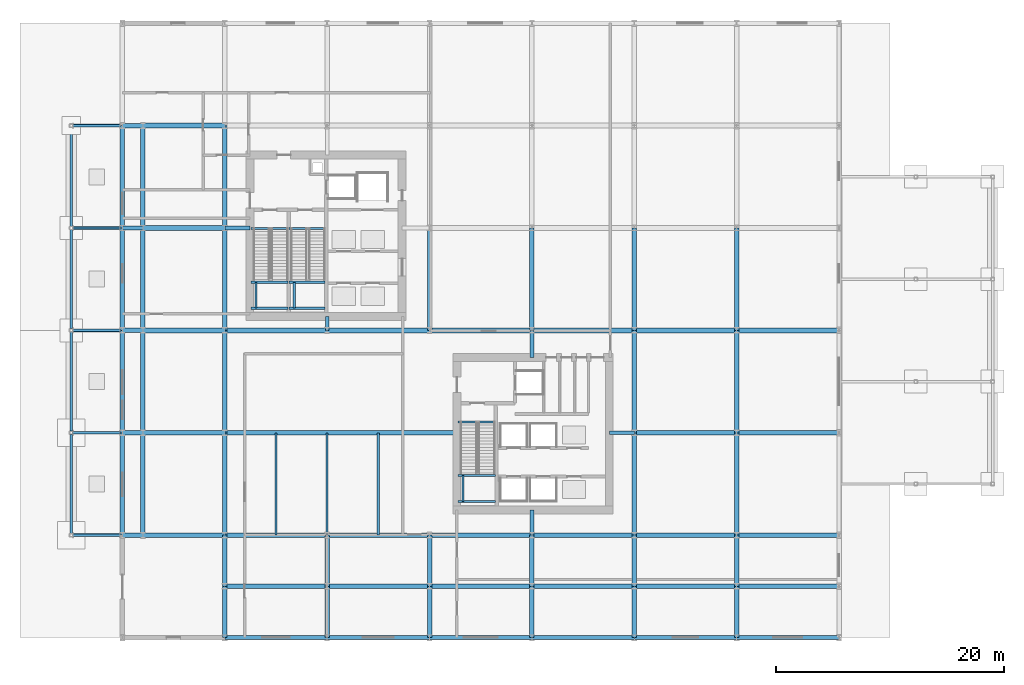
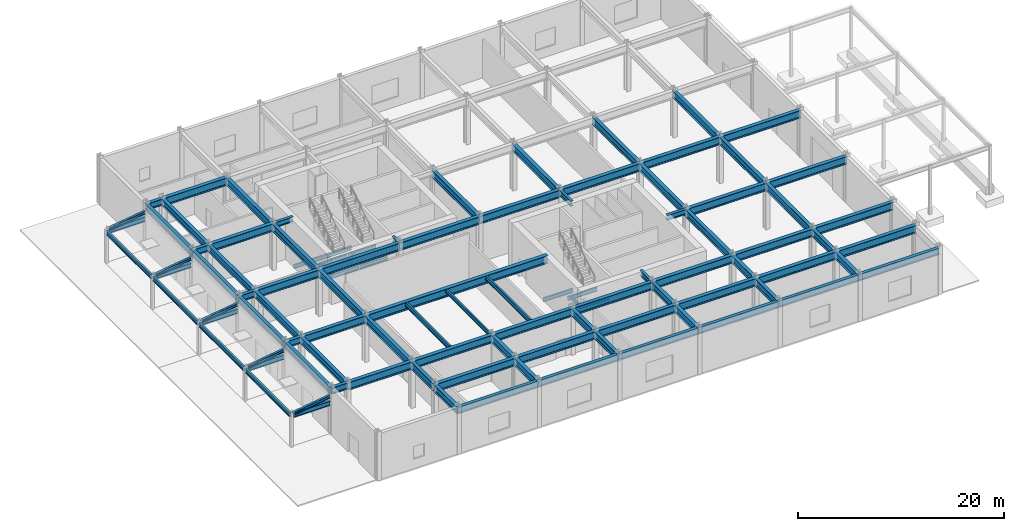
# One storey, part 7 of 19: 98 beams, 5 members.
"""IFC4 building model written with IfcOpenShell, lengths in metres."""

from ifc_helpers import new_model, si_unit, direction, frame, origin, origin_2d, place, context, subcontext, project, spatial, i_section, extrude, material, material_profile, profile_set, type_object, element, save


model = new_model("IFC4")

# Units and contexts
model_context = context("Model", 3, precision=1e-05, world=origin(), true_north=direction((0.0, 1.0)))
body_context = subcontext(model_context, "Body", "Model", "MODEL_VIEW")
ifc_project = project(units=[si_unit("LENGTHUNIT", "METRE"), si_unit("AREAUNIT", "SQUARE_METRE"), si_unit("VOLUMEUNIT", "CUBIC_METRE"), si_unit("PLANEANGLEUNIT", "RADIAN"), si_unit("MASSUNIT", "GRAM", prefix="KILO")], contexts=[model_context])

# Site, building, storey
site_placement = place(None, origin())
site = spatial("IfcSite", under=ifc_project, at=site_placement, CompositionType="ELEMENT")
building_placement = place(site_placement, origin())
building = spatial("IfcBuilding", under=site, at=building_placement, Name="Solvaryn Broadcast Tower", CompositionType="ELEMENT")
storey_placement = place(building_placement, origin())
storey = spatial("IfcBuildingStorey", under=building, at=storey_placement, Name="L00", CompositionType="ELEMENT", Elevation=0.0)

# Beams
ifc_material_1 = material(Name="Steel ASTM A992 Grade 50", Category="steel")
ifc_material_profile_1 = material_profile(ifc_material_1, i_section(OverallWidth=0.323974609375, OverallDepth=0.611083984375, WebThickness=0.0126953125, FlangeThickness=0.01904296875, FilletRadius=0.014892578125, at=origin_2d()))
ifc_profile_set_1 = profile_set([ifc_material_profile_1], Name="Steel ASTM A992 Grade 50")
beam_type_1 = type_object("IfcBeamType", Name="BM-B1-W24X104", PredefinedType="BEAM", material=ifc_profile_set_1)
for number, where, z_axis, x_axis, name in (
    (1, (9.0, 36.0, 5.174560546875), (1.0, 0.0, 0.0), (0.0, 1.0, 0.0), "L00 Core Tie Beam CTW1"),
    (2, (36.0, 9.0, 5.174560546875), (0.0, 1.0, 0.0), (-1.0, 0.0, 0.0), "L00 Core Tie Beam CTE1"),
):
    element("IfcBeam", number, at=place(storey_placement, frame(where, z_axis=z_axis, x_axis=x_axis)), inside=storey, type_object=beam_type_1, Name=name, PredefinedType="BEAM", context=body_context, shape_type="SweptSolid", body=[
        extrude(i_section(OverallWidth=0.323974609375, OverallDepth=0.611083984375, WebThickness=0.0126953125, FlangeThickness=0.01904296875, FilletRadius=0.014892578125, at=origin_2d()), origin(), (0.0, 0.0, 1.0), 2.199951171875),
    ])
beam_1_placement = place(storey_placement, frame((36.0, 24.60009765625, 5.174560546875), z_axis=(0.0, 1.0, 0.0), x_axis=(-1.0, 0.0, 0.0)))
element("IfcBeam", 3, at=beam_1_placement, inside=storey, type_object=beam_type_1, Name="L00 Core Tie Beam CTE2", PredefinedType="BEAM", context=body_context, shape_type="SweptSolid", body=[
    extrude(i_section(OverallWidth=0.323974609375, OverallDepth=0.611083984375, WebThickness=0.0126953125, FlangeThickness=0.01904296875, FilletRadius=0.014892578125, at=origin_2d()), origin(), (0.0, 0.0, 1.0), 2.39990234375),
])
beam_2_placement = place(storey_placement, frame((42.800048828125, 18.0, 5.174560546875), z_axis=(1.0, 0.0, 0.0), x_axis=(0.0, 1.0, 0.0)))
element("IfcBeam", 4, at=beam_2_placement, inside=storey, type_object=beam_type_1, Name="L00 Core Tie Beam CTE3", PredefinedType="BEAM", context=body_context, shape_type="SweptSolid", body=[
    extrude(i_section(OverallWidth=0.323974609375, OverallDepth=0.611083984375, WebThickness=0.0126953125, FlangeThickness=0.01904296875, FilletRadius=0.014892578125, at=origin_2d()), origin(), (0.0, 0.0, 1.0), 2.199951171875),
])
beam_3_placement = place(storey_placement, frame((18.0, 27.0, 5.174560546875), z_axis=(0.0, 1.0, 0.0), x_axis=(-1.0, 0.0, 0.0)))
element("IfcBeam", 5, at=beam_3_placement, inside=storey, type_object=beam_type_1, Name="L00 Core Tie Beam CTW4", PredefinedType="BEAM", context=body_context, shape_type="SweptSolid", body=[
    extrude(i_section(OverallWidth=0.323974609375, OverallDepth=0.611083984375, WebThickness=0.0126953125, FlangeThickness=0.01904296875, FilletRadius=0.014892578125, at=origin_2d()), origin(), (0.0, 0.0, 1.0), 1.199951171875),
])
ifc_material_2 = material(Name="Steel ASTM A992 Grade 50", Category="steel")
ifc_material_profile_2 = material_profile(ifc_material_2, i_section(OverallWidth=0.208984375, OverallDepth=0.532958984375, WebThickness=0.01025390625, FlangeThickness=0.015625, FilletRadius=0.013916015625, at=origin_2d()))
ifc_profile_set_2 = profile_set([ifc_material_profile_2], Name="Steel ASTM A992 Grade 50")
beam_type_2 = type_object("IfcBeamType", Name="BM-B3-W21X62", PredefinedType="BEAM", material=ifc_profile_set_2)
for number, where, z_axis, x_axis, name in (
    (6, (-4.35009765625, 9.0, 3.66357421875), (1.0, 0.0, 0.0), (0.0, 1.0, 0.0), "L00 Canopy Cross Beam 1"),
    (7, (-4.35009765625, 18.0, 3.66357421875), (1.0, 0.0, 0.0), (0.0, 1.0, 0.0), "L00 Canopy Cross Beam 2"),
    (8, (-4.35009765625, 27.0, 3.66357421875), (1.0, 0.0, 0.0), (0.0, 1.0, 0.0), "L00 Canopy Cross Beam 3"),
    (9, (-4.35009765625, 36.0, 3.66357421875), (1.0, 0.0, 0.0), (0.0, 1.0, 0.0), "L00 Canopy Cross Beam 4"),
    (10, (-4.35009765625, 45.0, 3.66357421875), (1.0, 0.0, 0.0), (0.0, 1.0, 0.0), "L00 Canopy Cross Beam 5"),
):
    element("IfcBeam", number, at=place(storey_placement, frame(where, z_axis=z_axis, x_axis=x_axis)), inside=storey, type_object=beam_type_2, Name=name, PredefinedType="BEAM", context=body_context, shape_type="SweptSolid", body=[
        extrude(i_section(OverallWidth=0.208984375, OverallDepth=0.532958984375, WebThickness=0.01025390625, FlangeThickness=0.015625, FilletRadius=0.013916015625, at=origin_2d()), origin(), (0.0, 0.0, 1.0), 4.150146484375),
    ])
for number, where, z_axis, x_axis, name in (
    (11, (-4.5, 9.14990234375, 3.66357421875), (0.0, 1.0, 0.0), (-1.0, 0.0, 0.0), "L00 Canopy Edge Beam 1"),
    (12, (-4.5, 18.14990234375, 3.66357421875), (0.0, 1.0, 0.0), (-1.0, 0.0, 0.0), "L00 Canopy Edge Beam 2"),
    (13, (-4.5, 27.14990234375, 3.66357421875), (0.0, 1.0, 0.0), (-1.0, 0.0, 0.0), "L00 Canopy Edge Beam 3"),
    (14, (-4.5, 36.14990234375, 3.66357421875), (0.0, 1.0, 0.0), (-1.0, 0.0, 0.0), "L00 Canopy Edge Beam 4"),
):
    element("IfcBeam", number, at=place(storey_placement, frame(where, z_axis=z_axis, x_axis=x_axis)), inside=storey, type_object=beam_type_2, Name=name, PredefinedType="BEAM", context=body_context, shape_type="SweptSolid", body=[
        extrude(i_section(OverallWidth=0.208984375, OverallDepth=0.532958984375, WebThickness=0.01025390625, FlangeThickness=0.015625, FilletRadius=0.013916015625, at=origin_2d()), origin(), (0.0, 0.0, 1.0), 8.7001953125),
    ])
for number, where, z_axis, x_axis, name in (
    (15, (13.5, 9.0, 5.21337890625), (0.0, 1.0, 0.0), (-1.0, 0.0, 0.0), "L00 Studio Rigging Beam 1"),
    (16, (22.5, 9.0, 5.21337890625), (0.0, 1.0, 0.0), (-1.0, 0.0, 0.0), "L00 Studio Rigging Beam 3"),
):
    element("IfcBeam", number, at=place(storey_placement, frame(where, z_axis=z_axis, x_axis=x_axis)), inside=storey, type_object=beam_type_2, Name=name, PredefinedType="BEAM", context=body_context, shape_type="SweptSolid", body=[
        extrude(i_section(OverallWidth=0.208984375, OverallDepth=0.532958984375, WebThickness=0.01025390625, FlangeThickness=0.015625, FilletRadius=0.013916015625, at=origin_2d()), origin(), (0.0, 0.0, 1.0), 9.0),
    ])
ifc_material_3 = material(Name="Steel ASTM A992 Grade 50", Category="steel")
ifc_material_profile_3 = material_profile(ifc_material_3, i_section(OverallWidth=0.18994140625, OverallDepth=0.45703125, WebThickness=0.009033203125, FlangeThickness=0.014404296875, FilletRadius=0.011962890625, at=origin_2d()))
ifc_profile_set_3 = profile_set([ifc_material_profile_3], Name="Steel ASTM A992 Grade 50")
beam_type_3 = type_object("IfcBeamType", Name="BM-B4-W18X50", PredefinedType="BEAM", material=ifc_profile_set_3)
beam_4_placement = place(storey_placement, frame((18.0, 9.0, 5.21337890625), z_axis=(0.0, 1.0, 0.0), x_axis=(-1.0, 0.0, 0.0)))
element("IfcBeam", 17, at=beam_4_placement, inside=storey, type_object=beam_type_3, Name="L00 Studio Rigging Beam 2", PredefinedType="BEAM", context=body_context, shape_type="SweptSolid", body=[
    extrude(i_section(OverallWidth=0.18994140625, OverallDepth=0.45703125, WebThickness=0.009033203125, FlangeThickness=0.014404296875, FilletRadius=0.011962890625, at=origin_2d()), origin(), (0.0, 0.0, 1.0), 9.0),
])
for number, where, z_axis, x_axis, name in (
    (18, (11.300048828125, 35.9599609375, -0.548583984375), (1.0, 0.0, 0.0), (0.0, 1.0, 0.0), "L00 ST1 Stair Well Trimmer Beam"),
    (19, (11.300048828125, 28.949951171875, 2.471435546875), (1.0, 0.0, 0.0), (0.0, 1.0, 0.0), "L00 ST1 Landing Support Beam 1A"),
    (20, (11.300048828125, 31.22998046875, 2.471435546875), (1.0, 0.0, 0.0), (0.0, 1.0, 0.0), "L00 ST1 Landing Support Beam 1B"),
):
    element("IfcBeam", number, at=place(storey_placement, frame(where, z_axis=z_axis, x_axis=x_axis)), inside=storey, type_object=beam_type_3, Name=name, PredefinedType="BEAM", context=body_context, shape_type="SweptSolid", body=[
        extrude(i_section(OverallWidth=0.18994140625, OverallDepth=0.45703125, WebThickness=0.009033203125, FlangeThickness=0.014404296875, FilletRadius=0.011962890625, at=origin_2d()), origin(), (0.0, 0.0, 1.0), 3.280029296875),
    ])
beam_5_placement = place(storey_placement, frame((11.75, 28.949951171875, 2.471435546875), z_axis=(0.0, 1.0, 0.0), x_axis=(-1.0, 0.0, 0.0)))
element("IfcBeam", 21, at=beam_5_placement, inside=storey, type_object=beam_type_3, Name="L00 ST1 Landing Cross Stringer 1C", PredefinedType="BEAM", context=body_context, shape_type="SweptSolid", body=[
    extrude(i_section(OverallWidth=0.18994140625, OverallDepth=0.45703125, WebThickness=0.009033203125, FlangeThickness=0.014404296875, FilletRadius=0.011962890625, at=origin_2d()), origin(), (0.0, 0.0, 1.0), 2.280029296875),
])
for number, where, z_axis, x_axis, name in (
    (22, (14.659912109375, 35.9599609375, -0.548583984375), (1.0, 0.0, 0.0), (0.0, 1.0, 0.0), "L00 ST2 Stair Well Trimmer Beam"),
    (23, (14.659912109375, 28.949951171875, 2.471435546875), (1.0, 0.0, 0.0), (0.0, 1.0, 0.0), "L00 ST2 Landing Support Beam 1A"),
    (24, (14.659912109375, 31.22998046875, 2.471435546875), (1.0, 0.0, 0.0), (0.0, 1.0, 0.0), "L00 ST2 Landing Support Beam 1B"),
):
    element("IfcBeam", number, at=place(storey_placement, frame(where, z_axis=z_axis, x_axis=x_axis)), inside=storey, type_object=beam_type_3, Name=name, PredefinedType="BEAM", context=body_context, shape_type="SweptSolid", body=[
        extrude(i_section(OverallWidth=0.18994140625, OverallDepth=0.45703125, WebThickness=0.009033203125, FlangeThickness=0.014404296875, FilletRadius=0.011962890625, at=origin_2d()), origin(), (0.0, 0.0, 1.0), 3.14013671875),
    ])
beam_6_placement = place(storey_placement, frame((15.110107421875, 28.949951171875, 2.471435546875), z_axis=(0.0, 1.0, 0.0), x_axis=(-1.0, 0.0, 0.0)))
element("IfcBeam", 25, at=beam_6_placement, inside=storey, type_object=beam_type_3, Name="L00 ST2 Landing Cross Stringer 1C", PredefinedType="BEAM", context=body_context, shape_type="SweptSolid", body=[
    extrude(i_section(OverallWidth=0.18994140625, OverallDepth=0.45703125, WebThickness=0.009033203125, FlangeThickness=0.014404296875, FilletRadius=0.011962890625, at=origin_2d()), origin(), (0.0, 0.0, 1.0), 2.280029296875),
])
for number, where, z_axis, x_axis, name in (
    (26, (29.5, 18.9599609375, -0.548583984375), (1.0, 0.0, 0.0), (0.0, 1.0, 0.0), "L00 ST3 Stair Well Trimmer Beam"),
    (27, (29.5, 11.949951171875, 2.471435546875), (1.0, 0.0, 0.0), (0.0, 1.0, 0.0), "L00 ST3 Landing Support Beam 1A"),
    (28, (29.5, 14.22998046875, 2.471435546875), (1.0, 0.0, 0.0), (0.0, 1.0, 0.0), "L00 ST3 Landing Support Beam 1B"),
):
    element("IfcBeam", number, at=place(storey_placement, frame(where, z_axis=z_axis, x_axis=x_axis)), inside=storey, type_object=beam_type_3, Name=name, PredefinedType="BEAM", context=body_context, shape_type="SweptSolid", body=[
        extrude(i_section(OverallWidth=0.18994140625, OverallDepth=0.45703125, WebThickness=0.009033203125, FlangeThickness=0.014404296875, FilletRadius=0.011962890625, at=origin_2d()), origin(), (0.0, 0.0, 1.0), 3.320068359375),
    ])
beam_7_placement = place(storey_placement, frame((29.949951171875, 11.949951171875, 2.471435546875), z_axis=(0.0, 1.0, 0.0), x_axis=(-1.0, 0.0, 0.0)))
element("IfcBeam", 29, at=beam_7_placement, inside=storey, type_object=beam_type_3, Name="L00 ST3 Landing Cross Stringer 1C", PredefinedType="BEAM", context=body_context, shape_type="SweptSolid", body=[
    extrude(i_section(OverallWidth=0.18994140625, OverallDepth=0.45703125, WebThickness=0.009033203125, FlangeThickness=0.014404296875, FilletRadius=0.011962890625, at=origin_2d()), origin(), (0.0, 0.0, 1.0), 2.280029296875),
])
ifc_material_4 = material(Name="Steel ASTM A992 Grade 50", Category="steel")
ifc_material_profile_4 = material_profile(ifc_material_4, i_section(OverallWidth=0.423095703125, OverallDepth=0.947998046875, WebThickness=0.02392578125, FlangeThickness=0.042724609375, FilletRadius=0.02392578125, at=origin_2d()))
ifc_profile_set_4 = profile_set([ifc_material_profile_4], Name="Steel ASTM A992 Grade 50")
beam_type_4 = type_object("IfcBeamType", Name="BM-G1-W36X302", PredefinedType="BEAM", material=ifc_profile_set_4)
beam_8_placement = place(storey_placement, frame((9.0, 18.0, 5.006103515625), z_axis=(1.0, 0.0, 0.0), x_axis=(0.0, 1.0, 0.0)))
element("IfcBeam", 30, at=beam_8_placement, inside=storey, type_object=beam_type_4, Name="L00 Broadcast Studio Clear-Span Girder", PredefinedType="BEAM", context=body_context, shape_type="SweptSolid", body=[
    extrude(i_section(OverallWidth=0.423095703125, OverallDepth=0.947998046875, WebThickness=0.02392578125, FlangeThickness=0.042724609375, FilletRadius=0.02392578125, at=origin_2d()), origin(), (0.0, 0.0, 1.0), 20.39990234375),
])
ifc_material_5 = material(Name="Steel ASTM A992 Grade 50", Category="steel")
ifc_material_profile_5 = material_profile(ifc_material_5, i_section(OverallWidth=0.41796875, OverallDepth=0.927001953125, WebThickness=0.019287109375, FlangeThickness=0.031982421875, FilletRadius=0.02392578125, at=origin_2d()))
ifc_profile_set_5 = profile_set([ifc_material_profile_5], Name="Steel ASTM A992 Grade 50")
beam_type_5 = type_object("IfcBeamType", Name="BM-G2-W36X231", PredefinedType="BEAM", material=ifc_profile_set_5)
for number, where, z_axis, x_axis, name in (
    (31, (9.0, 4.5, 5.0166015625), (1.0, 0.0, 0.0), (0.0, 1.0, 0.0), "L00 Primary Beam X (9-18 @ Y=4)"),
    (32, (18.0, 4.5, 5.0166015625), (1.0, 0.0, 0.0), (0.0, 1.0, 0.0), "L00 Primary Beam X (18-27 @ Y=4)"),
    (33, (27.0, 4.5, 5.0166015625), (1.0, 0.0, 0.0), (0.0, 1.0, 0.0), "L00 Primary Beam X (27-36 @ Y=4)"),
    (34, (36.0, 4.5, 5.0166015625), (1.0, 0.0, 0.0), (0.0, 1.0, 0.0), "L00 Primary Beam X (36-45 @ Y=4)"),
    (35, (45.0, 4.5, 5.0166015625), (1.0, 0.0, 0.0), (0.0, 1.0, 0.0), "L00 Primary Beam X (45-54 @ Y=4)"),
    (36, (54.0, 4.5, 5.0166015625), (1.0, 0.0, 0.0), (0.0, 1.0, 0.0), "L00 Primary Beam X (54-63 @ Y=4)"),
):
    element("IfcBeam", number, at=place(storey_placement, frame(where, z_axis=z_axis, x_axis=x_axis)), inside=storey, type_object=beam_type_5, Name=name, PredefinedType="BEAM", context=body_context, shape_type="SweptSolid", body=[
        extrude(i_section(OverallWidth=0.41796875, OverallDepth=0.927001953125, WebThickness=0.019287109375, FlangeThickness=0.031982421875, FilletRadius=0.02392578125, at=origin_2d()), origin(), (0.0, 0.0, 1.0), 9.0),
    ])
beam_9_placement = place(storey_placement, frame((1.800048828125, 9.0, 5.0166015625), z_axis=(1.0, 0.0, 0.0), x_axis=(0.0, 1.0, 0.0)))
element("IfcBeam", 37, at=beam_9_placement, inside=storey, type_object=beam_type_5, Name="L00 Primary Beam X (2-9 @ Y=9)", PredefinedType="BEAM", context=body_context, shape_type="SweptSolid", body=[
    extrude(i_section(OverallWidth=0.41796875, OverallDepth=0.927001953125, WebThickness=0.019287109375, FlangeThickness=0.031982421875, FilletRadius=0.02392578125, at=origin_2d()), origin(), (0.0, 0.0, 1.0), 7.199951171875),
])
for number, where, z_axis, x_axis, name in (
    (38, (9.0, 9.0, 5.0166015625), (1.0, 0.0, 0.0), (0.0, 1.0, 0.0), "L00 Primary Beam X (9-18 @ Y=9)"),
    (39, (18.0, 9.0, 5.0166015625), (1.0, 0.0, 0.0), (0.0, 1.0, 0.0), "L00 Primary Beam X (18-27 @ Y=9)"),
    (40, (27.0, 9.0, 5.0166015625), (1.0, 0.0, 0.0), (0.0, 1.0, 0.0), "L00 Primary Beam X (27-36 @ Y=9)"),
    (41, (36.0, 9.0, 5.0166015625), (1.0, 0.0, 0.0), (0.0, 1.0, 0.0), "L00 Primary Beam X (36-45 @ Y=9)"),
    (42, (45.0, 9.0, 5.0166015625), (1.0, 0.0, 0.0), (0.0, 1.0, 0.0), "L00 Primary Beam X (45-54 @ Y=9)"),
    (43, (54.0, 9.0, 5.0166015625), (1.0, 0.0, 0.0), (0.0, 1.0, 0.0), "L00 Primary Beam X (54-63 @ Y=9)"),
):
    element("IfcBeam", number, at=place(storey_placement, frame(where, z_axis=z_axis, x_axis=x_axis)), inside=storey, type_object=beam_type_5, Name=name, PredefinedType="BEAM", context=body_context, shape_type="SweptSolid", body=[
        extrude(i_section(OverallWidth=0.41796875, OverallDepth=0.927001953125, WebThickness=0.019287109375, FlangeThickness=0.031982421875, FilletRadius=0.02392578125, at=origin_2d()), origin(), (0.0, 0.0, 1.0), 9.0),
    ])
beam_10_placement = place(storey_placement, frame((1.800048828125, 18.0, 5.0166015625), z_axis=(1.0, 0.0, 0.0), x_axis=(0.0, 1.0, 0.0)))
element("IfcBeam", 44, at=beam_10_placement, inside=storey, type_object=beam_type_5, Name="L00 Primary Beam X (2-9 @ Y=18)", PredefinedType="BEAM", context=body_context, shape_type="SweptSolid", body=[
    extrude(i_section(OverallWidth=0.41796875, OverallDepth=0.927001953125, WebThickness=0.019287109375, FlangeThickness=0.031982421875, FilletRadius=0.02392578125, at=origin_2d()), origin(), (0.0, 0.0, 1.0), 7.199951171875),
])
for number, where, z_axis, x_axis, name in (
    (45, (45.0, 18.0, 5.0166015625), (1.0, 0.0, 0.0), (0.0, 1.0, 0.0), "L00 Primary Beam X (45-54 @ Y=18)"),
    (46, (54.0, 18.0, 5.0166015625), (1.0, 0.0, 0.0), (0.0, 1.0, 0.0), "L00 Primary Beam X (54-63 @ Y=18)"),
):
    element("IfcBeam", number, at=place(storey_placement, frame(where, z_axis=z_axis, x_axis=x_axis)), inside=storey, type_object=beam_type_5, Name=name, PredefinedType="BEAM", context=body_context, shape_type="SweptSolid", body=[
        extrude(i_section(OverallWidth=0.41796875, OverallDepth=0.927001953125, WebThickness=0.019287109375, FlangeThickness=0.031982421875, FilletRadius=0.02392578125, at=origin_2d()), origin(), (0.0, 0.0, 1.0), 9.0),
    ])
beam_11_placement = place(storey_placement, frame((1.800048828125, 27.0, 5.0166015625), z_axis=(1.0, 0.0, 0.0), x_axis=(0.0, 1.0, 0.0)))
element("IfcBeam", 47, at=beam_11_placement, inside=storey, type_object=beam_type_5, Name="L00 Primary Beam X (2-9 @ Y=27)", PredefinedType="BEAM", context=body_context, shape_type="SweptSolid", body=[
    extrude(i_section(OverallWidth=0.41796875, OverallDepth=0.927001953125, WebThickness=0.019287109375, FlangeThickness=0.031982421875, FilletRadius=0.02392578125, at=origin_2d()), origin(), (0.0, 0.0, 1.0), 7.199951171875),
])
for number, where, z_axis, x_axis, name in (
    (48, (9.0, 27.0, 5.0166015625), (1.0, 0.0, 0.0), (0.0, 1.0, 0.0), "L00 Primary Beam X (9-18 @ Y=27)"),
    (49, (18.0, 27.0, 5.0166015625), (1.0, 0.0, 0.0), (0.0, 1.0, 0.0), "L00 Primary Beam X (18-27 @ Y=27)"),
    (50, (27.0, 27.0, 5.0166015625), (1.0, 0.0, 0.0), (0.0, 1.0, 0.0), "L00 Primary Beam X (27-36 @ Y=27)"),
    (51, (36.0, 27.0, 5.0166015625), (1.0, 0.0, 0.0), (0.0, 1.0, 0.0), "L00 Primary Beam X (36-45 @ Y=27)"),
    (52, (45.0, 27.0, 5.0166015625), (1.0, 0.0, 0.0), (0.0, 1.0, 0.0), "L00 Primary Beam X (45-54 @ Y=27)"),
    (53, (54.0, 27.0, 5.0166015625), (1.0, 0.0, 0.0), (0.0, 1.0, 0.0), "L00 Primary Beam X (54-63 @ Y=27)"),
):
    element("IfcBeam", number, at=place(storey_placement, frame(where, z_axis=z_axis, x_axis=x_axis)), inside=storey, type_object=beam_type_5, Name=name, PredefinedType="BEAM", context=body_context, shape_type="SweptSolid", body=[
        extrude(i_section(OverallWidth=0.41796875, OverallDepth=0.927001953125, WebThickness=0.019287109375, FlangeThickness=0.031982421875, FilletRadius=0.02392578125, at=origin_2d()), origin(), (0.0, 0.0, 1.0), 9.0),
    ])
for number, where, z_axis, x_axis, name in (
    (54, (1.800048828125, 36.0, 5.0166015625), (1.0, 0.0, 0.0), (0.0, 1.0, 0.0), "L00 Primary Beam X (2-9 @ Y=36)"),
    (55, (1.800048828125, 45.0, 5.0166015625), (1.0, 0.0, 0.0), (0.0, 1.0, 0.0), "L00 Primary Beam X (2-9 @ Y=45)"),
):
    element("IfcBeam", number, at=place(storey_placement, frame(where, z_axis=z_axis, x_axis=x_axis)), inside=storey, type_object=beam_type_5, Name=name, PredefinedType="BEAM", context=body_context, shape_type="SweptSolid", body=[
        extrude(i_section(OverallWidth=0.41796875, OverallDepth=0.927001953125, WebThickness=0.019287109375, FlangeThickness=0.031982421875, FilletRadius=0.02392578125, at=origin_2d()), origin(), (0.0, 0.0, 1.0), 7.199951171875),
    ])
ifc_material_6 = material(Name="Steel ASTM A992 Grade 50", Category="steel")
ifc_material_profile_6 = material_profile(ifc_material_6, i_section(OverallWidth=0.39990234375, OverallDepth=0.85498046875, WebThickness=0.018310546875, FlangeThickness=0.029296875, FilletRadius=0.02001953125, at=origin_2d()))
ifc_profile_set_6 = profile_set([ifc_material_profile_6], Name="Steel ASTM A992 Grade 50")
beam_type_6 = type_object("IfcBeamType", Name="BM-G3-W33X201", PredefinedType="BEAM", material=ifc_profile_set_6)
for number, where, z_axis, x_axis, name in (
    (56, (9.0, 0.0, 5.052490234375), (0.0, 1.0, 0.0), (-1.0, 0.0, 0.0), "L00 Primary Beam Y (0-4 @ X=9)"),
    (57, (9.0, 4.5, 5.052490234375), (0.0, 1.0, 0.0), (-1.0, 0.0, 0.0), "L00 Primary Beam Y (4-9 @ X=9)"),
):
    element("IfcBeam", number, at=place(storey_placement, frame(where, z_axis=z_axis, x_axis=x_axis)), inside=storey, type_object=beam_type_6, Name=name, PredefinedType="BEAM", context=body_context, shape_type="SweptSolid", body=[
        extrude(i_section(OverallWidth=0.39990234375, OverallDepth=0.85498046875, WebThickness=0.018310546875, FlangeThickness=0.029296875, FilletRadius=0.02001953125, at=origin_2d()), origin(), (0.0, 0.0, 1.0), 4.5),
    ])
for number, where, z_axis, x_axis, name in (
    (58, (9.0, 9.0, 5.052490234375), (0.0, 1.0, 0.0), (-1.0, 0.0, 0.0), "L00 Primary Beam Y (9-18 @ X=9)"),
    (59, (9.0, 18.0, 5.052490234375), (0.0, 1.0, 0.0), (-1.0, 0.0, 0.0), "L00 Primary Beam Y (18-27 @ X=9)"),
    (60, (9.0, 27.0, 5.052490234375), (0.0, 1.0, 0.0), (-1.0, 0.0, 0.0), "L00 Primary Beam Y (27-36 @ X=9)"),
    (61, (9.0, 36.0, 5.052490234375), (0.0, 1.0, 0.0), (-1.0, 0.0, 0.0), "L00 Primary Beam Y (36-45 @ X=9)"),
):
    element("IfcBeam", number, at=place(storey_placement, frame(where, z_axis=z_axis, x_axis=x_axis)), inside=storey, type_object=beam_type_6, Name=name, PredefinedType="BEAM", context=body_context, shape_type="SweptSolid", body=[
        extrude(i_section(OverallWidth=0.39990234375, OverallDepth=0.85498046875, WebThickness=0.018310546875, FlangeThickness=0.029296875, FilletRadius=0.02001953125, at=origin_2d()), origin(), (0.0, 0.0, 1.0), 9.0),
    ])
for number, where, z_axis, x_axis, name in (
    (62, (18.0, 0.0, 5.052490234375), (0.0, 1.0, 0.0), (-1.0, 0.0, 0.0), "L00 Primary Beam Y (0-4 @ X=18)"),
    (63, (18.0, 4.5, 5.052490234375), (0.0, 1.0, 0.0), (-1.0, 0.0, 0.0), "L00 Primary Beam Y (4-9 @ X=18)"),
    (64, (27.0, 0.0, 5.052490234375), (0.0, 1.0, 0.0), (-1.0, 0.0, 0.0), "L00 Primary Beam Y (0-4 @ X=27)"),
    (65, (27.0, 4.5, 5.052490234375), (0.0, 1.0, 0.0), (-1.0, 0.0, 0.0), "L00 Primary Beam Y (4-9 @ X=27)"),
):
    element("IfcBeam", number, at=place(storey_placement, frame(where, z_axis=z_axis, x_axis=x_axis)), inside=storey, type_object=beam_type_6, Name=name, PredefinedType="BEAM", context=body_context, shape_type="SweptSolid", body=[
        extrude(i_section(OverallWidth=0.39990234375, OverallDepth=0.85498046875, WebThickness=0.018310546875, FlangeThickness=0.029296875, FilletRadius=0.02001953125, at=origin_2d()), origin(), (0.0, 0.0, 1.0), 4.5),
    ])
beam_12_placement = place(storey_placement, frame((27.0, 27.0, 5.052490234375), z_axis=(0.0, 1.0, 0.0), x_axis=(-1.0, 0.0, 0.0)))
element("IfcBeam", 66, at=beam_12_placement, inside=storey, type_object=beam_type_6, Name="L00 Primary Beam Y (27-36 @ X=27)", PredefinedType="BEAM", context=body_context, shape_type="SweptSolid", body=[
    extrude(i_section(OverallWidth=0.39990234375, OverallDepth=0.85498046875, WebThickness=0.018310546875, FlangeThickness=0.029296875, FilletRadius=0.02001953125, at=origin_2d()), origin(), (0.0, 0.0, 1.0), 9.0),
])
for number, where, z_axis, x_axis, name in (
    (67, (36.0, 0.0, 5.052490234375), (0.0, 1.0, 0.0), (-1.0, 0.0, 0.0), "L00 Primary Beam Y (0-4 @ X=36)"),
    (68, (36.0, 4.5, 5.052490234375), (0.0, 1.0, 0.0), (-1.0, 0.0, 0.0), "L00 Primary Beam Y (4-9 @ X=36)"),
):
    element("IfcBeam", number, at=place(storey_placement, frame(where, z_axis=z_axis, x_axis=x_axis)), inside=storey, type_object=beam_type_6, Name=name, PredefinedType="BEAM", context=body_context, shape_type="SweptSolid", body=[
        extrude(i_section(OverallWidth=0.39990234375, OverallDepth=0.85498046875, WebThickness=0.018310546875, FlangeThickness=0.029296875, FilletRadius=0.02001953125, at=origin_2d()), origin(), (0.0, 0.0, 1.0), 4.5),
    ])
beam_13_placement = place(storey_placement, frame((36.0, 27.0, 5.052490234375), z_axis=(0.0, 1.0, 0.0), x_axis=(-1.0, 0.0, 0.0)))
element("IfcBeam", 69, at=beam_13_placement, inside=storey, type_object=beam_type_6, Name="L00 Primary Beam Y (27-36 @ X=36)", PredefinedType="BEAM", context=body_context, shape_type="SweptSolid", body=[
    extrude(i_section(OverallWidth=0.39990234375, OverallDepth=0.85498046875, WebThickness=0.018310546875, FlangeThickness=0.029296875, FilletRadius=0.02001953125, at=origin_2d()), origin(), (0.0, 0.0, 1.0), 9.0),
])
for number, where, z_axis, x_axis, name in (
    (70, (45.0, 0.0, 5.052490234375), (0.0, 1.0, 0.0), (-1.0, 0.0, 0.0), "L00 Primary Beam Y (0-4 @ X=45)"),
    (71, (45.0, 4.5, 5.052490234375), (0.0, 1.0, 0.0), (-1.0, 0.0, 0.0), "L00 Primary Beam Y (4-9 @ X=45)"),
):
    element("IfcBeam", number, at=place(storey_placement, frame(where, z_axis=z_axis, x_axis=x_axis)), inside=storey, type_object=beam_type_6, Name=name, PredefinedType="BEAM", context=body_context, shape_type="SweptSolid", body=[
        extrude(i_section(OverallWidth=0.39990234375, OverallDepth=0.85498046875, WebThickness=0.018310546875, FlangeThickness=0.029296875, FilletRadius=0.02001953125, at=origin_2d()), origin(), (0.0, 0.0, 1.0), 4.5),
    ])
for number, where, z_axis, x_axis, name in (
    (72, (45.0, 9.0, 5.052490234375), (0.0, 1.0, 0.0), (-1.0, 0.0, 0.0), "L00 Primary Beam Y (9-18 @ X=45)"),
    (73, (45.0, 18.0, 5.052490234375), (0.0, 1.0, 0.0), (-1.0, 0.0, 0.0), "L00 Primary Beam Y (18-27 @ X=45)"),
    (74, (45.0, 27.0, 5.052490234375), (0.0, 1.0, 0.0), (-1.0, 0.0, 0.0), "L00 Primary Beam Y (27-36 @ X=45)"),
):
    element("IfcBeam", number, at=place(storey_placement, frame(where, z_axis=z_axis, x_axis=x_axis)), inside=storey, type_object=beam_type_6, Name=name, PredefinedType="BEAM", context=body_context, shape_type="SweptSolid", body=[
        extrude(i_section(OverallWidth=0.39990234375, OverallDepth=0.85498046875, WebThickness=0.018310546875, FlangeThickness=0.029296875, FilletRadius=0.02001953125, at=origin_2d()), origin(), (0.0, 0.0, 1.0), 9.0),
    ])
for number, where, z_axis, x_axis, name in (
    (75, (54.0, 0.0, 5.052490234375), (0.0, 1.0, 0.0), (-1.0, 0.0, 0.0), "L00 Primary Beam Y (0-4 @ X=54)"),
    (76, (54.0, 4.5, 5.052490234375), (0.0, 1.0, 0.0), (-1.0, 0.0, 0.0), "L00 Primary Beam Y (4-9 @ X=54)"),
):
    element("IfcBeam", number, at=place(storey_placement, frame(where, z_axis=z_axis, x_axis=x_axis)), inside=storey, type_object=beam_type_6, Name=name, PredefinedType="BEAM", context=body_context, shape_type="SweptSolid", body=[
        extrude(i_section(OverallWidth=0.39990234375, OverallDepth=0.85498046875, WebThickness=0.018310546875, FlangeThickness=0.029296875, FilletRadius=0.02001953125, at=origin_2d()), origin(), (0.0, 0.0, 1.0), 4.5),
    ])
for number, where, z_axis, x_axis, name in (
    (77, (54.0, 9.0, 5.052490234375), (0.0, 1.0, 0.0), (-1.0, 0.0, 0.0), "L00 Primary Beam Y (9-18 @ X=54)"),
    (78, (54.0, 18.0, 5.052490234375), (0.0, 1.0, 0.0), (-1.0, 0.0, 0.0), "L00 Primary Beam Y (18-27 @ X=54)"),
    (79, (54.0, 27.0, 5.052490234375), (0.0, 1.0, 0.0), (-1.0, 0.0, 0.0), "L00 Primary Beam Y (27-36 @ X=54)"),
):
    element("IfcBeam", number, at=place(storey_placement, frame(where, z_axis=z_axis, x_axis=x_axis)), inside=storey, type_object=beam_type_6, Name=name, PredefinedType="BEAM", context=body_context, shape_type="SweptSolid", body=[
        extrude(i_section(OverallWidth=0.39990234375, OverallDepth=0.85498046875, WebThickness=0.018310546875, FlangeThickness=0.029296875, FilletRadius=0.02001953125, at=origin_2d()), origin(), (0.0, 0.0, 1.0), 9.0),
    ])
ifc_material_7 = material(Name="Steel ASTM A992 Grade 50", Category="steel")
ifc_material_profile_7 = material_profile(ifc_material_7, i_section(OverallWidth=0.381103515625, OverallDepth=0.77294921875, WebThickness=0.0166015625, FlangeThickness=0.027099609375, FilletRadius=0.01806640625, at=origin_2d()))
ifc_profile_set_7 = profile_set([ifc_material_profile_7], Name="Steel ASTM A992 Grade 50")
beam_type_7 = type_object("IfcBeamType", Name="BM-SP1-W30X173", PredefinedType="USERDEFINED", material=ifc_profile_set_7)
for number, where, z_axis, x_axis, name in (
    (80, (9.0, 0.0, 5.093505859375), (1.0, 0.0, 0.0), (0.0, 1.0, 0.0), "L00 Spandrel Beam X (9-18 @ Y=0)"),
    (81, (18.0, 0.0, 5.093505859375), (1.0, 0.0, 0.0), (0.0, 1.0, 0.0), "L00 Spandrel Beam X (18-27 @ Y=0)"),
    (82, (27.0, 0.0, 5.093505859375), (1.0, 0.0, 0.0), (0.0, 1.0, 0.0), "L00 Spandrel Beam X (27-36 @ Y=0)"),
    (83, (36.0, 0.0, 5.093505859375), (1.0, 0.0, 0.0), (0.0, 1.0, 0.0), "L00 Spandrel Beam X (36-45 @ Y=0)"),
    (84, (45.0, 0.0, 5.093505859375), (1.0, 0.0, 0.0), (0.0, 1.0, 0.0), "L00 Spandrel Beam X (45-54 @ Y=0)"),
    (85, (54.0, 0.0, 5.093505859375), (1.0, 0.0, 0.0), (0.0, 1.0, 0.0), "L00 Spandrel Beam X (54-63 @ Y=0)"),
):
    element("IfcBeam", number, at=place(storey_placement, frame(where, z_axis=z_axis, x_axis=x_axis)), inside=storey, type_object=beam_type_7, Name=name, ObjectType="SPANDREL", PredefinedType="USERDEFINED", context=body_context, shape_type="SweptSolid", body=[
        extrude(i_section(OverallWidth=0.381103515625, OverallDepth=0.77294921875, WebThickness=0.0166015625, FlangeThickness=0.027099609375, FilletRadius=0.01806640625, at=origin_2d()), origin(), (0.0, 0.0, 1.0), 9.0),
    ])
for number, where, z_axis, x_axis, name in (
    (86, (0.0, 9.0, 5.093505859375), (1.0, 0.0, 0.0), (0.0, 1.0, 0.0), "L00 Spandrel Beam X (0-2 @ Y=9)"),
    (87, (0.0, 18.0, 5.093505859375), (1.0, 0.0, 0.0), (0.0, 1.0, 0.0), "L00 Spandrel Beam X (0-2 @ Y=18)"),
    (88, (0.0, 27.0, 5.093505859375), (1.0, 0.0, 0.0), (0.0, 1.0, 0.0), "L00 Spandrel Beam X (0-2 @ Y=27)"),
    (89, (0.0, 36.0, 5.093505859375), (1.0, 0.0, 0.0), (0.0, 1.0, 0.0), "L00 Spandrel Beam X (0-2 @ Y=36)"),
    (90, (0.0, 45.0, 5.093505859375), (1.0, 0.0, 0.0), (0.0, 1.0, 0.0), "L00 Spandrel Beam X (0-2 @ Y=45)"),
):
    element("IfcBeam", number, at=place(storey_placement, frame(where, z_axis=z_axis, x_axis=x_axis)), inside=storey, type_object=beam_type_7, Name=name, ObjectType="SPANDREL", PredefinedType="USERDEFINED", context=body_context, shape_type="SweptSolid", body=[
        extrude(i_section(OverallWidth=0.381103515625, OverallDepth=0.77294921875, WebThickness=0.0166015625, FlangeThickness=0.027099609375, FilletRadius=0.01806640625, at=origin_2d()), origin(), (0.0, 0.0, 1.0), 1.800048828125),
    ])
for number, where, z_axis, x_axis, name in (
    (91, (0.0, 9.0, 5.093505859375), (0.0, 1.0, 0.0), (-1.0, 0.0, 0.0), "L00 Spandrel Beam Y (9-18 @ X=0)"),
    (92, (0.0, 18.0, 5.093505859375), (0.0, 1.0, 0.0), (-1.0, 0.0, 0.0), "L00 Spandrel Beam Y (18-27 @ X=0)"),
    (93, (0.0, 27.0, 5.093505859375), (0.0, 1.0, 0.0), (-1.0, 0.0, 0.0), "L00 Spandrel Beam Y (27-36 @ X=0)"),
    (94, (0.0, 36.0, 5.093505859375), (0.0, 1.0, 0.0), (-1.0, 0.0, 0.0), "L00 Spandrel Beam Y (36-45 @ X=0)"),
    (95, (1.800048828125, 9.0, 5.093505859375), (0.0, 1.0, 0.0), (-1.0, 0.0, 0.0), "L00 Spandrel Beam Y (9-18 @ X=2)"),
    (96, (1.800048828125, 18.0, 5.093505859375), (0.0, 1.0, 0.0), (-1.0, 0.0, 0.0), "L00 Spandrel Beam Y (18-27 @ X=2)"),
    (97, (1.800048828125, 27.0, 5.093505859375), (0.0, 1.0, 0.0), (-1.0, 0.0, 0.0), "L00 Spandrel Beam Y (27-36 @ X=2)"),
    (98, (1.800048828125, 36.0, 5.093505859375), (0.0, 1.0, 0.0), (-1.0, 0.0, 0.0), "L00 Spandrel Beam Y (36-45 @ X=2)"),
):
    element("IfcBeam", number, at=place(storey_placement, frame(where, z_axis=z_axis, x_axis=x_axis)), inside=storey, type_object=beam_type_7, Name=name, ObjectType="SPANDREL", PredefinedType="USERDEFINED", context=body_context, shape_type="SweptSolid", body=[
        extrude(i_section(OverallWidth=0.381103515625, OverallDepth=0.77294921875, WebThickness=0.0166015625, FlangeThickness=0.027099609375, FilletRadius=0.01806640625, at=origin_2d()), origin(), (0.0, 0.0, 1.0), 9.0),
    ])

# Members
ifc_material_8 = material(Name="Steel ASTM A992 Grade 50", Category="steel")
ifc_material_profile_8 = material_profile(ifc_material_8, i_section(OverallWidth=0.257080078125, OverallDepth=0.363037109375, WebThickness=0.012939453125, FlangeThickness=0.021728515625, FilletRadius=0.014892578125, at=origin_2d()))
ifc_profile_set_8 = profile_set([ifc_material_profile_8], Name="Steel ASTM A992 Grade 50")
member_type = type_object("IfcMemberType", Name="MB-CANOPY-TIE", PredefinedType="STRUT", material=ifc_profile_set_8)
for number, where, z_axis, x_axis, name in (
    (99, (-0.199951171875, 9.0, 4.449951171875), (-0.98971526349, 0.0, -0.143051379634), (0.0, -1.0, 0.0), "L00 West Canopy Raking Tie 1"),
    (100, (-0.199951171875, 18.0, 4.449951171875), (-0.98971526349, 0.0, -0.143051379634), (0.0, -1.0, 0.0), "L00 West Canopy Raking Tie 2"),
    (101, (-0.199951171875, 27.0, 4.449951171875), (-0.98971526349, 0.0, -0.143051379634), (0.0, -1.0, 0.0), "L00 West Canopy Raking Tie 3"),
    (102, (-0.199951171875, 36.0, 4.449951171875), (-0.98971526349, 0.0, -0.143051379634), (0.0, -1.0, 0.0), "L00 West Canopy Raking Tie 4"),
    (103, (-0.199951171875, 45.0, 4.449951171875), (-0.98971526349, 0.0, -0.143051379634), (0.0, -1.0, 0.0), "L00 West Canopy Raking Tie 5"),
):
    element("IfcMember", number, at=place(storey_placement, frame(where, z_axis=z_axis, x_axis=x_axis)), inside=storey, type_object=member_type, Name=name, PredefinedType="STRUT", context=body_context, shape_type="SweptSolid", body=[
        extrude(i_section(OverallWidth=0.257080078125, OverallDepth=0.363037109375, WebThickness=0.012939453125, FlangeThickness=0.021728515625, FilletRadius=0.014892578125, at=origin_2d()), origin(), (0.0, 0.0, 1.0), 4.193359375),
    ])

save(model, "model.ifc")
